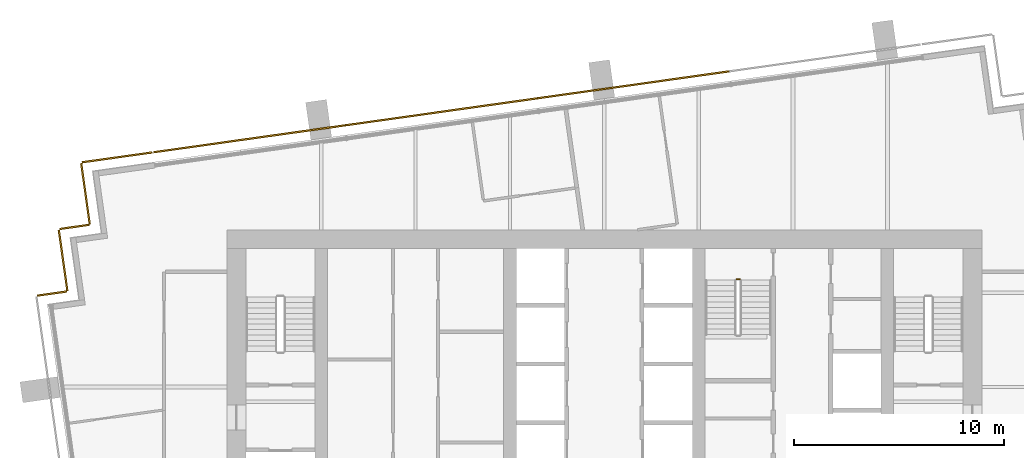
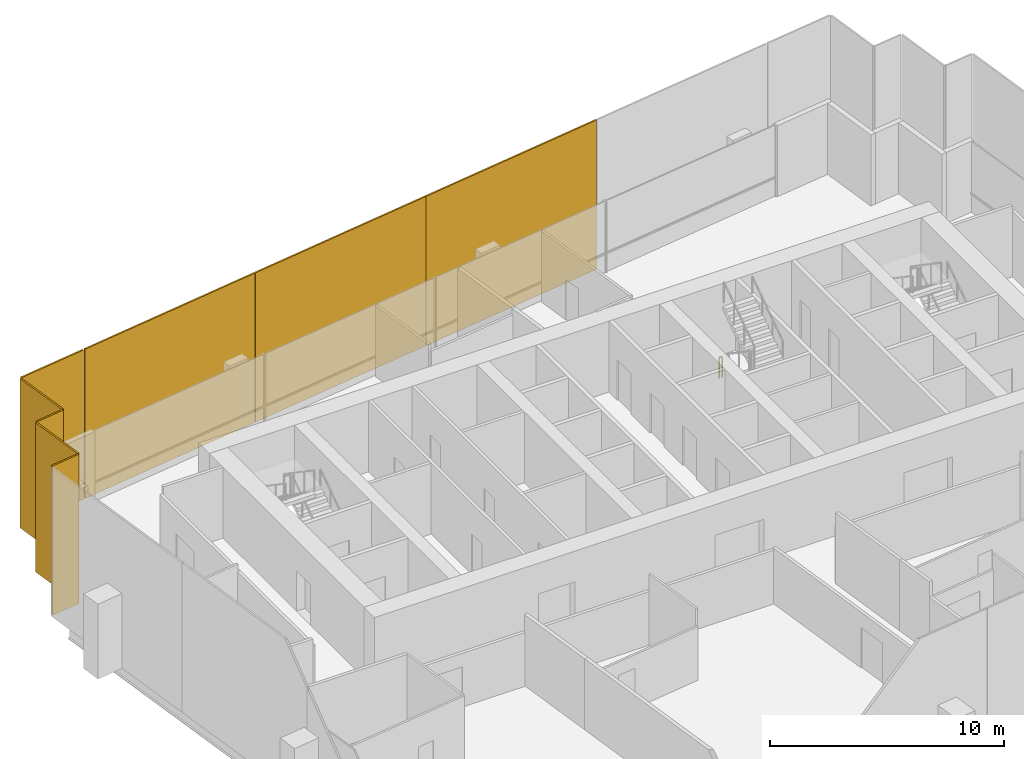
# One storey, part 14 of 15: 8 coverings, 1 railing.
"""IFC4 building model written with IfcOpenShell, lengths in metres."""

from ifc_helpers import new_model, si_unit, direction, frame, origin, origin_2d, place, context, subcontext, project, spatial, rectangle, extrude, material, layer, layer_set, type_object, element, save


model = new_model("IFC4")

# Units and contexts
model_context = context("Model", 3, precision=1e-05, world=origin(), true_north=direction((0.0, 1.0)))
body_context = subcontext(model_context, "Body", "Model", "MODEL_VIEW")
ifc_project = project(units=[si_unit("LENGTHUNIT", "METRE"), si_unit("AREAUNIT", "SQUARE_METRE"), si_unit("VOLUMEUNIT", "CUBIC_METRE"), si_unit("PLANEANGLEUNIT", "RADIAN"), si_unit("MASSUNIT", "GRAM", prefix="KILO")], contexts=[model_context])

# Site, building, storey
site_placement = place(None, origin())
site = spatial("IfcSite", under=ifc_project, at=site_placement, CompositionType="ELEMENT")
building_placement = place(site_placement, origin())
building = spatial("IfcBuilding", under=site, at=building_placement, Name="Rattan Terrace Tower", CompositionType="ELEMENT")
storey_placement = place(building_placement, frame((0.0, 0.0, 278.5)))
storey = spatial("IfcBuildingStorey", under=building, at=storey_placement, Name="L64", CompositionType="ELEMENT", Elevation=278.5)

# Railing
ifc_material_1 = material(Name="Powder-coated steel guard", Category="steel")
railing_type = type_object("IfcRailingType", Name="Core stair guard", PredefinedType="GUARDRAIL", material=ifc_material_1)
railing_placement = place(storey_placement, frame((6.300048828125, 5.14990234375, 0.0)))
element("IfcRailing", 1, at=railing_placement, inside=storey, type_object=railing_type, Name="L64 S3 stair guard 4", PredefinedType="GUARDRAIL", context=body_context, shape_type="SweptSolid", body=[
    extrude(rectangle(XDim=0.048095703125, YDim=0.048095703125, at=origin_2d()), frame((0.0, 0.0, 1.076171875), z_axis=(1.0, 0.0, 0.0), x_axis=(0.0, 1.0, 0.0)), (0.0, 0.0, 1.0), 0.14990234375),
    extrude(rectangle(XDim=0.0419921875, YDim=0.0419921875, at=origin_2d()), origin(), (0.0, 0.0, 1.0), 1.052001953125),
    extrude(rectangle(XDim=0.0419921875, YDim=0.0419921875, at=origin_2d()), frame((0.14990234375, 0.0, 0.0)), (0.0, 0.0, 1.0), 1.052001953125),
])

# Coverings
ifc_material_2 = material(Name="Perforated terracotta", Category="masonry")
ifc_layer = layer(ifc_material_2, 0.080078125)
ifc_layer_set = layer_set([ifc_layer], Name="Facade Terracotta Screen Panel HZ")
covering_type = type_object("IfcCoveringType", Name="Facade Terracotta Screen Panel HZ", PredefinedType="CLADDING", material=ifc_layer_set)
for number, where, z_axis, x_axis, name in (
    (2, (1.37353515625, 14.41455078125, -0.18994140625), (0.0, 0.0, 1.0), (-0.990265894013, -0.139188574079, 0.0), "OUTER SKIN panel L64-15"),
    (3, (-7.785400390625, 13.127197265625, -0.18994140625), (0.0, 0.0, 1.0), (-0.990265894013, -0.139188574079, 0.0), "OUTER SKIN panel L64-16"),
):
    element("IfcCovering", number, at=place(storey_placement, frame(where, z_axis=z_axis, x_axis=x_axis)), inside=storey, type_object=covering_type, Name=name, PredefinedType="CLADDING", context=body_context, shape_type="SweptSolid", body=[
        extrude(rectangle(XDim=9.22900390625, YDim=0.080078125, at=origin_2d()), origin(), (0.0, 0.0, 1.0), 7.780029296875),
    ])
covering_1_placement = place(storey_placement, frame((-16.931640625, 11.841552734375, -0.18994140625), z_axis=(0.0, 0.0, 1.0), x_axis=(-0.990265894013, -0.139188574079, 0.0)))
element("IfcCovering", 4, at=covering_1_placement, inside=storey, type_object=covering_type, Name="OUTER SKIN panel L64-17", PredefinedType="CLADDING", context=body_context, shape_type="SweptSolid", body=[
    extrude(rectangle(XDim=9.203125, YDim=0.080078125, at=origin_2d()), origin(), (0.0, 0.0, 1.0), 7.780029296875),
])
covering_2_placement = place(storey_placement, frame((-23.236328125, 10.955810546875, -0.18994140625), z_axis=(0.0, 0.0, 1.0), x_axis=(-0.990293172258, -0.138994363123, 0.0)))
element("IfcCovering", 5, at=covering_2_placement, inside=storey, type_object=covering_type, Name="OUTER SKIN panel L64-18", PredefinedType="CLADDING", context=body_context, shape_type="SweptSolid", body=[
    extrude(rectangle(XDim=3.3701171875, YDim=0.080078125, at=origin_2d()), origin(), (0.0, 0.0, 1.0), 7.780029296875),
])
covering_3_placement = place(storey_placement, frame((-24.74462890625, 9.218994140625, -0.18994140625), z_axis=(0.0, 0.0, 1.0), x_axis=(0.138994363123, -0.990293172258, 0.0)))
element("IfcCovering", 6, at=covering_3_placement, inside=storey, type_object=covering_type, Name="OUTER SKIN panel L64-19", PredefinedType="CLADDING", context=body_context, shape_type="SweptSolid", body=[
    extrude(rectangle(XDim=2.92041015625, YDim=0.080078125, at=origin_2d()), origin(), (0.0, 0.0, 1.0), 7.780029296875),
])
covering_4_placement = place(storey_placement, frame((-25.27001953125, 7.640380859375, -0.18994140625), z_axis=(0.0, 0.0, 1.0), x_axis=(-0.990240767803, -0.139367219175, 0.0)))
element("IfcCovering", 7, at=covering_4_placement, inside=storey, type_object=covering_type, Name="OUTER SKIN panel L64-20", PredefinedType="CLADDING", context=body_context, shape_type="SweptSolid", body=[
    extrude(rectangle(XDim=1.419921875, YDim=0.080078125, at=origin_2d()), origin(), (0.0, 0.0, 1.0), 7.780029296875),
])
covering_5_placement = place(storey_placement, frame((-25.812255859375, 6.03955078125, -0.18994140625), z_axis=(0.0, 0.0, 1.0), x_axis=(0.139367219175, -0.990240767803, 0.0)))
element("IfcCovering", 8, at=covering_5_placement, inside=storey, type_object=covering_type, Name="OUTER SKIN panel L64-21", PredefinedType="CLADDING", context=body_context, shape_type="SweptSolid", body=[
    extrude(rectangle(XDim=2.919189453125, YDim=0.080078125, at=origin_2d()), origin(), (0.0, 0.0, 1.0), 7.780029296875),
])
covering_6_placement = place(storey_placement, frame((-26.337646484375, 4.46142578125, -0.18994140625), z_axis=(0.0, 0.0, 1.0), x_axis=(-0.99025370695, -0.139275252184, 0.0)))
element("IfcCovering", 9, at=covering_6_placement, inside=storey, type_object=covering_type, Name="OUTER SKIN panel L64-22", PredefinedType="CLADDING", context=body_context, shape_type="SweptSolid", body=[
    extrude(rectangle(XDim=1.420654296875, YDim=0.080078125, at=origin_2d()), origin(), (0.0, 0.0, 1.0), 7.780029296875),
])

save(model, "model.ifc")
